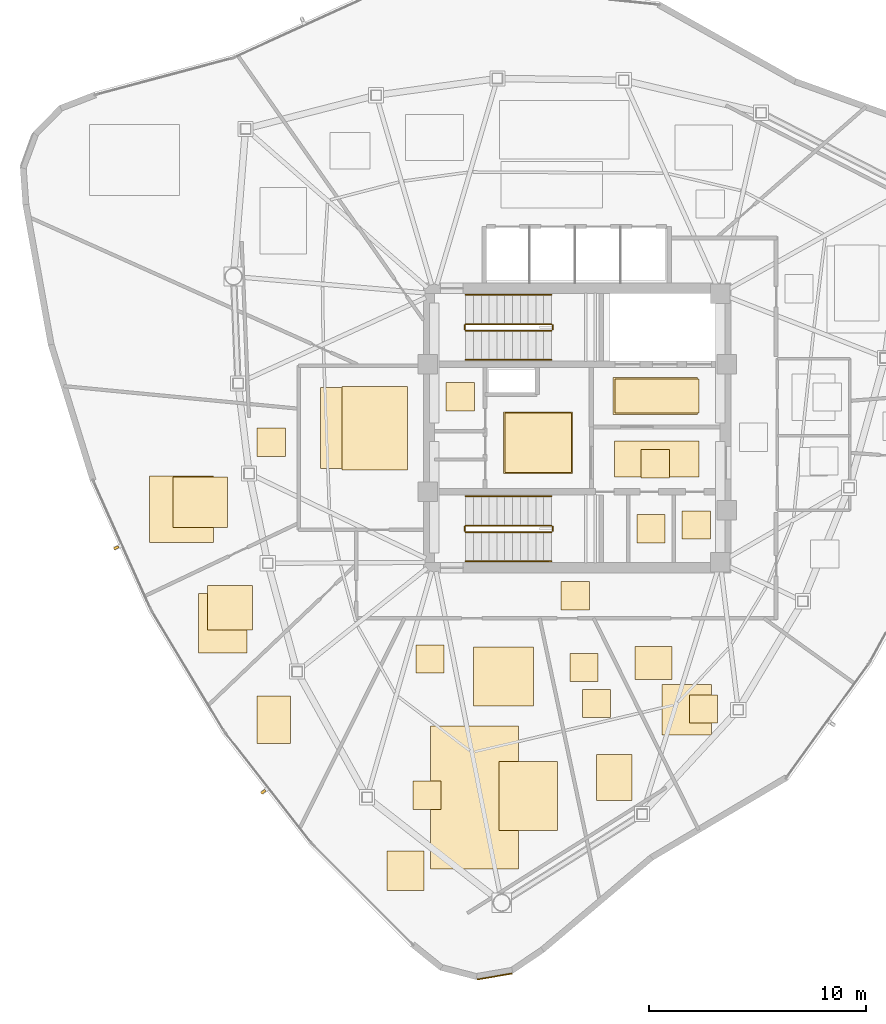
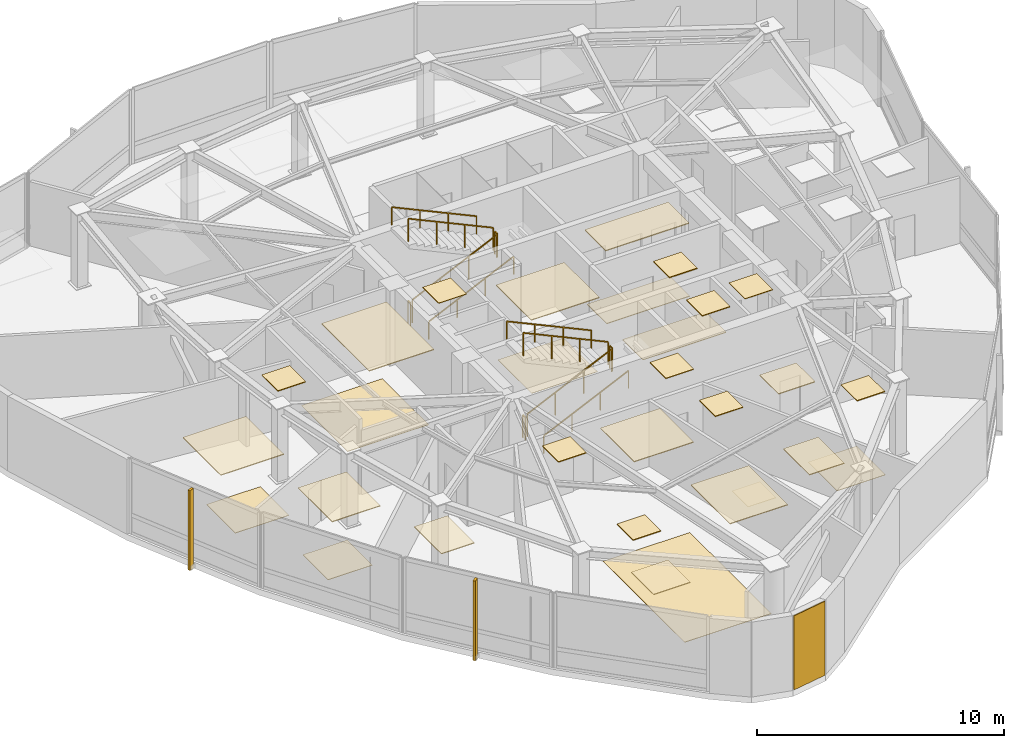
# One storey, part 11 of 12: 31 coverings, 12 railings, 2 shading devices.
"""IFC4 building model written with IfcOpenShell, lengths in metres."""

import ifcopenshell
import ifcopenshell.guid

model = None  # the IFC model being written
_history = None  # IfcOwnerHistory: only IFC2X3 demands one
_inside = {}  # id of a spatial element -> (the spatial element, [elements in it])
_under = {}  # id of a project, library or spatial element -> (it, [spatial elements below it])
_declared = {}  # id of a project -> (the project, [libraries it declares])
_typed = {}  # id of a type object -> (the type object, [elements of that type])
_made_of = {}  # id of a material, layer set ... -> (it, [elements and type objects made of it])


def new_model(schema):
    """Start an empty IFC model of exactly this schema.

    Asked for "IFC4X3", IfcOpenShell would pick the latest addendum, in which some entities
    have other attributes; the version numbers below select the first issue.
    IFC2X3 requires an IfcOwnerHistory on every rooted entity: one is made here for all.
    """
    global model, _history
    if schema == "IFC4X3":
        model = ifcopenshell.file(schema_version=(4, 3, 0, 0))
    else:
        model = ifcopenshell.file(schema=schema)
    _inside.clear()
    _under.clear()
    _declared.clear()
    _typed.clear()
    _made_of.clear()
    _history = None
    if model.schema == "IFC2X3":
        org = make("IfcOrganization", Name="unknown")
        user = make(
            "IfcPersonAndOrganization",
            ThePerson=make("IfcPerson", FamilyName="unknown"),
            TheOrganization=org,
        )
        app = make(
            "IfcApplication",
            ApplicationDeveloper=org,
            Version="unknown",
            ApplicationFullName="unknown",
            ApplicationIdentifier="unknown",
        )
        _history = make(
            "IfcOwnerHistory",
            OwningUser=user,
            OwningApplication=app,
            ChangeAction="ADDED",
            CreationDate=0,
        )
    return model


def make(cls, **values):
    """One entity of the class cls with the attributes given. An attribute that is None is left unset."""
    return model.create_entity(
        cls, **{name: value for name, value in values.items() if value is not None}
    )


def rooted(cls, **values):
    """An entity with a GlobalId (a new one), such as an element, a storey or a relation."""
    return make(cls, GlobalId=ifcopenshell.guid.new(), OwnerHistory=_history, **values)


def si_unit(unit_type, name, prefix=None):
    """IfcSIUnit, for example si_unit("LENGTHUNIT", "METRE", prefix="MILLI")."""
    return make("IfcSIUnit", UnitType=unit_type, Prefix=prefix, Name=name)


def assignment(units):
    """IfcUnitAssignment: the units of a project."""
    return None if units is None else make("IfcUnitAssignment", Units=units)


def point(xyz):
    """IfcCartesianPoint."""
    return None if xyz is None else make("IfcCartesianPoint", Coordinates=xyz)


def direction(xyz):
    """IfcDirection."""
    return None if xyz is None else make("IfcDirection", DirectionRatios=xyz)


def frame(location, z_axis=None, x_axis=None):
    """IfcAxis2Placement3D, a coordinate frame: its origin and axes. An axis left out is left unset."""
    return make(
        "IfcAxis2Placement3D",
        Location=point(location),
        Axis=direction(z_axis),
        RefDirection=direction(x_axis),
    )


def frame_2d(location, x_axis=None):
    """IfcAxis2Placement2D, a coordinate frame in the plane: its origin and x axis."""
    return make(
        "IfcAxis2Placement2D", Location=point(location), RefDirection=direction(x_axis)
    )


def origin():
    """The frame at (0, 0, 0) with its axes left unset."""
    return frame((0.0, 0.0, 0.0))


def origin_2d():
    """The frame at (0, 0) in the plane with its x axis left unset."""
    return frame_2d((0.0, 0.0))


def place(relative_to, where):
    """IfcLocalPlacement: puts the frame where relative to a parent placement (None: the world)."""
    return make(
        "IfcLocalPlacement", PlacementRelTo=relative_to, RelativePlacement=where
    )


def context(
    kind, dimensions, precision=None, world=None, true_north=None, identifier=None
):
    """IfcGeometricRepresentationContext, for example the 3D "Model" context."""
    return make(
        "IfcGeometricRepresentationContext",
        ContextIdentifier=identifier,
        ContextType=kind,
        CoordinateSpaceDimension=dimensions,
        Precision=precision,
        WorldCoordinateSystem=world,
        TrueNorth=true_north,
    )


def subcontext(parent, identifier, kind, view, scale=None):
    """IfcGeometricRepresentationSubContext, for example "Body" below "Model"."""
    return make(
        "IfcGeometricRepresentationSubContext",
        ContextIdentifier=identifier,
        ContextType=kind,
        ParentContext=parent,
        TargetScale=scale,
        TargetView=view,
    )


def project(units=None, contexts=None):
    """IfcProject with its units and contexts."""
    return rooted(
        "IfcProject",
        Name="project",
        RepresentationContexts=contexts,
        UnitsInContext=assignment(units),
    )


def spatial(cls, under=None, at=None, **own):
    """A site, building, storey or space (cls), placed at a placement, below another one or the project."""
    s = rooted(cls, ObjectPlacement=at, **own)
    if under is not None:
        _under.setdefault(under.id(), (under, []))[1].append(s)
    return s


def polyline(points):
    """IfcPolyline through the points."""
    return make("IfcPolyline", Points=[point(p) for p in points])


def profile(cls, at=None, kind="AREA", **sizes):
    """A parametric profile (cls). Its sizes go by their IFC names, for example OverallWidth=200.0."""
    return make(cls, ProfileType=kind, Position=at, **sizes)


def rectangle(**sizes):
    """IfcRectangleProfileDef."""
    return profile("IfcRectangleProfileDef", **sizes)


def outline(outer, holes=None, kind="AREA"):
    """IfcArbitraryClosedProfileDef: a profile drawn as a closed curve; with holes, ...WithVoids."""
    if holes is None:
        return make("IfcArbitraryClosedProfileDef", ProfileType=kind, OuterCurve=outer)
    return make(
        "IfcArbitraryProfileDefWithVoids",
        ProfileType=kind,
        OuterCurve=outer,
        InnerCurves=holes,
    )


def extrude(swept, where, along, depth):
    """IfcExtrudedAreaSolid: the profile swept, set in the frame where, extruded along a direction by depth."""
    return make(
        "IfcExtrudedAreaSolid",
        SweptArea=swept,
        Position=where,
        ExtrudedDirection=direction(along),
        Depth=depth,
    )


def shape(context_of_items, identifier, shape_type, items):
    """IfcShapeRepresentation: the items that make up one representation, for example the "Body"."""
    return make(
        "IfcShapeRepresentation",
        ContextOfItems=context_of_items,
        RepresentationIdentifier=identifier,
        RepresentationType=shape_type,
        Items=items,
    )


def source(mapping_origin, context_of_items, identifier, shape_type, items):
    """IfcRepresentationMap: a shape defined once, which mapped items show again and again."""
    return make(
        "IfcRepresentationMap",
        MappingOrigin=mapping_origin,
        MappedRepresentation=shape(context_of_items, identifier, shape_type, items),
    )


def transform(
    local_origin,
    x_axis=None,
    y_axis=None,
    z_axis=None,
    scale=None,
    scale2=None,
    scale3=None,
    uniform=True,
):
    """IfcCartesianTransformationOperator3D, or its non-uniform kind. x_axis, y_axis, z_axis: its Axis1, 2, 3."""
    if uniform:
        return make(
            "IfcCartesianTransformationOperator3D",
            Axis1=direction(x_axis),
            Axis2=direction(y_axis),
            LocalOrigin=point(local_origin),
            Scale=scale,
            Axis3=direction(z_axis),
        )
    return make(
        "IfcCartesianTransformationOperator3DnonUniform",
        Axis1=direction(x_axis),
        Axis2=direction(y_axis),
        LocalOrigin=point(local_origin),
        Scale=scale,
        Axis3=direction(z_axis),
        Scale2=scale2,
        Scale3=scale3,
    )


def mapped(mapping_source, mapping_target):
    """IfcMappedItem: shows the shape of a source again, moved by a transform."""
    return make(
        "IfcMappedItem", MappingSource=mapping_source, MappingTarget=mapping_target
    )


def material(Name=None, Category=None):
    """IfcMaterial."""
    return make("IfcMaterial", Name=Name, Category=Category)


def layer(
    of_material, thickness, ventilated=None, Name=None, Category=None, Priority=None
):
    """IfcMaterialLayer: one layer of a wall or slab, of a material (None: an air gap)."""
    return make(
        "IfcMaterialLayer",
        Material=of_material,
        LayerThickness=thickness,
        IsVentilated=ventilated,
        Name=Name,
        Category=Category,
        Priority=Priority,
    )


def layer_set(layers, Name=None):
    """IfcMaterialLayerSet."""
    return make("IfcMaterialLayerSet", MaterialLayers=layers, LayerSetName=Name)


def made_of(thing, what):
    """Note that an element or type object is made of a material, layer set ...; save() writes the relation."""
    if what is not None:
        _made_of.setdefault(what.id(), (what, []))[1].append(thing)
    return thing


def type_object(cls, material=None, **own):
    """A type object (cls), such as IfcWallType, which elements share."""
    return made_of(rooted(cls, **own), material)


def type_shapes(of_type, sources):
    """Give a type object the sources (RepresentationMaps) that its elements show as mapped items."""
    of_type.RepresentationMaps = sources


def element(
    cls,
    number,
    at=None,
    inside=None,
    cuts=None,
    type_object=None,
    material=None,
    context=None,
    identifier="Body",
    shape_type=None,
    held_by="IfcProductDefinitionShape",
    body=None,
    shapes=None,
    **own,
):
    """One element of the class cls, such as IfcWall. Its Tag is "e" and its number.

    at: its placement. inside: the storey or other place that contains it. cuts: it is an
    opening in that element (IfcRelVoidsElement). A single representation is given by context,
    identifier, shape_type and body (its items); several are given by shapes. held_by: the class
    of the entity that holds the representations. save() writes the other relations.
    """
    e = rooted(cls, Tag="e%d" % number, ObjectPlacement=at, **own)
    if body is not None:
        shapes = [shape(context, identifier, shape_type, body)]
    if shapes is not None:
        e.Representation = make(held_by, Representations=shapes)
    if inside is not None:
        _inside.setdefault(inside.id(), (inside, []))[1].append(e)
    if cuts is not None:
        rooted(
            "IfcRelVoidsElement", RelatingBuildingElement=cuts, RelatedOpeningElement=e
        )
    if type_object is not None:
        _typed.setdefault(type_object.id(), (type_object, []))[1].append(e)
    return made_of(e, material)


def aggregate(whole, parts):
    """IfcRelAggregates: a whole, such as a stair, and the parts it consists of."""
    return rooted("IfcRelAggregates", RelatingObject=whole, RelatedObjects=parts)


def save(model, path):
    """Write the relations noted so far, then the file.

    IfcRelAggregates (storeys below a building ...), IfcRelContainedInSpatialStructure (elements
    in a storey), IfcRelDefinesByType, IfcRelAssociatesMaterial and IfcRelDeclares: one each for
    every whole, place, type object, material and project.
    """
    for whole, parts in _under.values():
        aggregate(whole, parts)
    for where, things in _inside.values():
        rooted(
            "IfcRelContainedInSpatialStructure",
            RelatedElements=things,
            RelatingStructure=where,
        )
    for kind, things in _typed.values():
        rooted("IfcRelDefinesByType", RelatedObjects=things, RelatingType=kind)
    for what, things in _made_of.values():
        rooted("IfcRelAssociatesMaterial", RelatedObjects=things, RelatingMaterial=what)
    for by, libraries in _declared.values():
        rooted("IfcRelDeclares", RelatingContext=by, RelatedDefinitions=libraries)
    model.write(path)


model = new_model("IFC4")

# Units and contexts
model_context = context("Model", 3, precision=1e-05, world=origin(), true_north=direction((0.0, 1.0)))
body_context = subcontext(model_context, "Body", "Model", "MODEL_VIEW")
ifc_project = project(units=[si_unit("LENGTHUNIT", "METRE"), si_unit("AREAUNIT", "SQUARE_METRE"), si_unit("VOLUMEUNIT", "CUBIC_METRE"), si_unit("PLANEANGLEUNIT", "RADIAN"), si_unit("MASSUNIT", "GRAM", prefix="KILO")], contexts=[model_context])

# Site, building, storey
site_placement = place(None, origin())
site = spatial("IfcSite", under=ifc_project, at=site_placement, CompositionType="ELEMENT")
building_placement = place(site_placement, origin())
building = spatial("IfcBuilding", under=site, at=building_placement, Name="Tavelor Broadcast Tower", CompositionType="ELEMENT")
storey_placement = place(building_placement, frame((0.0, 0.0, 285.5)))
storey = spatial("IfcBuildingStorey", under=building, at=storey_placement, Name="L68", CompositionType="ELEMENT", Elevation=285.5)

# Coverings
ifc_material_1 = material(Name="Copper-Bronze Anodized Aluminium", Category="aluminium")
ifc_layer_1 = layer(ifc_material_1, 0.044921875)
ifc_layer_set_1 = layer_set([ifc_layer_1], Name="Copper-Bronze Anodized Aluminium")
covering_type_1 = type_object("IfcCoveringType", Name="Anodised Bronze Linear Slatted Concourse Ceiling 45 mm", PredefinedType="CEILING", material=ifc_layer_set_1)
covering_1_placement = place(storey_placement, frame((0.0, 0.0, 3.655029296875)))
element("IfcCovering", 1, at=covering_1_placement, inside=storey, type_object=covering_type_1, Name="L68 Suspended Acoustic Ceiling 2598", PredefinedType="CEILING", context=body_context, shape_type="SweptSolid", body=[
    extrude(outline(polyline([(51.659912109375, 45.6318359375), (55.55712890625, 45.6318359375), (55.55712890625, 47.328125), (51.659912109375, 47.328125), (51.659912109375, 45.6318359375)])), origin(), (0.0, 0.0, 1.0), 0.044921875),
])
covering_2_placement = place(storey_placement, frame((0.0, 0.0, 3.655029296875)))
element("IfcCovering", 2, at=covering_2_placement, inside=storey, type_object=covering_type_1, Name="L68 Suspended Acoustic Ceiling 2599", PredefinedType="CEILING", context=body_context, shape_type="SweptSolid", body=[
    extrude(outline(polyline([(52.95361328125, 42.705078125), (54.25341796875, 42.705078125), (54.25341796875, 44.0048828125), (52.95361328125, 44.0048828125), (52.95361328125, 42.705078125)])), origin(), (0.0, 0.0, 1.0), 0.044921875),
])
ifc_layer_2 = layer(ifc_material_1, 0.050048828125)
ifc_layer_set_2 = layer_set([ifc_layer_2], Name="Copper-Bronze Anodized Aluminium")
covering_type_2 = type_object("IfcCoveringType", Name="Champagne-Bronze Corner Pier Metal Cladding 50 mm", PredefinedType="CLADDING", material=ifc_layer_set_2)
covering_3_placement = place(storey_placement, frame((46.18505859375, 19.683837890625, 0.02001953125), z_axis=(0.0, 0.0, 1.0), x_axis=(0.985556059058, 0.169349503849, 0.0)))
element("IfcCovering", 3, at=covering_3_placement, inside=storey, type_object=covering_type_2, Name="L68 Champagne-Bronze Corner Cladding 13", PredefinedType="CLADDING", context=body_context, shape_type="SweptSolid", body=[
    extrude(rectangle(XDim=1.62939453125, YDim=0.050048828125, at=origin_2d()), origin(), (0.0, 0.0, 1.0), 3.659912109375),
])

# Railings
ifc_material_2 = material(Name="Steel S355", Category="steel")
railing_type_1 = type_object("IfcRailingType", Name="Continuous Brushed Stainless Handrail 900 mm", PredefinedType="HANDRAIL", material=ifc_material_2)
railing_1_placement = place(storey_placement, frame((44.85009765625, 48.14990234375, 0.166748046875)))
element("IfcRailing", 4, at=railing_1_placement, inside=storey, type_object=railing_type_1, Name="L68 ST1 stair handrail 1", PredefinedType="HANDRAIL", context=body_context, shape_type="SweptSolid", body=[
    extrude(rectangle(XDim=0.048095703125, YDim=0.048095703125, at=origin_2d()), frame((0.0, 0.0, 0.8759765625), z_axis=(0.907472437036, 0.0, 0.420111623286), x_axis=(0.0, 1.0, 0.0)), (0.0, 0.0, 1.0), 4.36376953125),
    extrude(rectangle(XDim=0.0419921875, YDim=0.0419921875, at=origin_2d()), origin(), (0.0, 0.0, 1.0), 0.851806640625),
    extrude(rectangle(XDim=0.0419921875, YDim=0.0419921875, at=origin_2d()), frame((1.320068359375, 0.0, 0.611083984375)), (0.0, 0.0, 1.0), 0.851806640625),
    extrude(rectangle(XDim=0.0419921875, YDim=0.0419921875, at=origin_2d()), frame((2.639892578125, 0.0, 1.22216796875)), (0.0, 0.0, 1.0), 0.851806640625),
    extrude(rectangle(XDim=0.0419921875, YDim=0.0419921875, at=origin_2d()), frame((3.9599609375, 0.0, 1.833251953125)), (0.0, 0.0, 1.0), 0.851806640625),
])
railing_2_placement = place(storey_placement, frame((48.81005859375, 51.14990234375, 2.166748046875)))
element("IfcRailing", 5, at=railing_2_placement, inside=storey, type_object=railing_type_1, Name="L68 ST1 stair handrail 2", PredefinedType="HANDRAIL", context=body_context, shape_type="SweptSolid", body=[
    extrude(rectangle(XDim=0.048095703125, YDim=0.048095703125, at=origin_2d()), frame((0.0, 0.0, 0.8759765625), z_axis=(-0.907472437036, 0.0, 0.420111623286), x_axis=(0.0, -1.0, 0.0)), (0.0, 0.0, 1.0), 4.36376953125),
    extrude(rectangle(XDim=0.0419921875, YDim=0.0419921875, at=origin_2d()), origin(), (0.0, 0.0, 1.0), 0.851806640625),
    extrude(rectangle(XDim=0.0419921875, YDim=0.0419921875, at=origin_2d()), frame((-1.320068359375, 0.0, 0.611083984375)), (0.0, 0.0, 1.0), 0.851806640625),
    extrude(rectangle(XDim=0.0419921875, YDim=0.0419921875, at=origin_2d()), frame((-2.639892578125, 0.0, 1.22216796875)), (0.0, 0.0, 1.0), 0.851806640625),
    extrude(rectangle(XDim=0.0419921875, YDim=0.0419921875, at=origin_2d()), frame((-3.9599609375, 0.0, 1.833251953125)), (0.0, 0.0, 1.0), 0.851806640625),
])
railing_3_placement = place(storey_placement, frame((44.85009765625, 38.85009765625, 0.166748046875)))
element("IfcRailing", 6, at=railing_3_placement, inside=storey, type_object=railing_type_1, Name="L68 ST2 stair handrail 1", PredefinedType="HANDRAIL", context=body_context, shape_type="SweptSolid", body=[
    extrude(rectangle(XDim=0.048095703125, YDim=0.048095703125, at=origin_2d()), frame((0.0, 0.0, 0.8759765625), z_axis=(0.907472437036, 0.0, 0.420111623286), x_axis=(0.0, 1.0, 0.0)), (0.0, 0.0, 1.0), 4.36376953125),
    extrude(rectangle(XDim=0.0419921875, YDim=0.0419921875, at=origin_2d()), origin(), (0.0, 0.0, 1.0), 0.851806640625),
    extrude(rectangle(XDim=0.0419921875, YDim=0.0419921875, at=origin_2d()), frame((1.320068359375, 0.0, 0.611083984375)), (0.0, 0.0, 1.0), 0.851806640625),
    extrude(rectangle(XDim=0.0419921875, YDim=0.0419921875, at=origin_2d()), frame((2.639892578125, 0.0, 1.22216796875)), (0.0, 0.0, 1.0), 0.851806640625),
    extrude(rectangle(XDim=0.0419921875, YDim=0.0419921875, at=origin_2d()), frame((3.9599609375, 0.0, 1.833251953125)), (0.0, 0.0, 1.0), 0.851806640625),
])
railing_4_placement = place(storey_placement, frame((48.81005859375, 41.85009765625, 2.166748046875)))
element("IfcRailing", 7, at=railing_4_placement, inside=storey, type_object=railing_type_1, Name="L68 ST2 stair handrail 2", PredefinedType="HANDRAIL", context=body_context, shape_type="SweptSolid", body=[
    extrude(rectangle(XDim=0.048095703125, YDim=0.048095703125, at=origin_2d()), frame((0.0, 0.0, 0.8759765625), z_axis=(-0.907472437036, 0.0, 0.420111623286), x_axis=(0.0, -1.0, 0.0)), (0.0, 0.0, 1.0), 4.36376953125),
    extrude(rectangle(XDim=0.0419921875, YDim=0.0419921875, at=origin_2d()), origin(), (0.0, 0.0, 1.0), 0.851806640625),
    extrude(rectangle(XDim=0.0419921875, YDim=0.0419921875, at=origin_2d()), frame((-1.320068359375, 0.0, 0.611083984375)), (0.0, 0.0, 1.0), 0.851806640625),
    extrude(rectangle(XDim=0.0419921875, YDim=0.0419921875, at=origin_2d()), frame((-2.639892578125, 0.0, 1.22216796875)), (0.0, 0.0, 1.0), 0.851806640625),
    extrude(rectangle(XDim=0.0419921875, YDim=0.0419921875, at=origin_2d()), frame((-3.9599609375, 0.0, 1.833251953125)), (0.0, 0.0, 1.0), 0.851806640625),
])

# Coverings
ifc_material_3 = material(Name="Architectural Anodized Aluminium", Category="aluminium")
ifc_layer_3 = layer(ifc_material_3, 0.034912109375)
ifc_layer_set_3 = layer_set([ifc_layer_3], Name="Architectural Anodized Aluminium")
covering_type_3 = type_object("IfcCoveringType", Name="Demountable Metal Tile Corridor Ceiling 35 mm", PredefinedType="CEILING", material=ifc_layer_set_3)
covering_4_placement = place(storey_placement, frame((0.0, 0.0, 3.6650390625)))
element("IfcCovering", 8, at=covering_4_placement, inside=storey, type_object=covering_type_3, Name="L68 Suspended Acoustic Ceiling 2605", PredefinedType="CEILING", context=body_context, shape_type="SweptSolid", body=[
    extrude(outline(polyline([(49.261474609375, 36.610107421875), (50.5615234375, 36.610107421875), (50.5615234375, 37.909912109375), (49.261474609375, 37.909912109375), (49.261474609375, 36.610107421875)])), origin(), (0.0, 0.0, 1.0), 0.034912109375),
])
ifc_material_4 = material(Name="Acoustic Nylon Carpet Tile")
ifc_layer_4 = layer(ifc_material_4, 0.02001953125)
ifc_layer_set_4 = layer_set([ifc_layer_4], Name="Acoustic Nylon Carpet Tile")
covering_type_4 = type_object("IfcCoveringType", Name="Heavy-Duty Acoustic Broadcast Carpet Tile 20 mm", PredefinedType="FLOORING", material=ifc_layer_set_4)
covering_5_placement = place(storey_placement, origin())
element("IfcCovering", 9, at=covering_5_placement, inside=storey, type_object=covering_type_4, Name="L68 Broadcast Floor Finish 1011", PredefinedType="FLOORING", context=body_context, shape_type="SweptSolid", body=[
    extrude(outline(polyline([(46.6591796875, 42.953369140625), (49.730712890625, 42.953369140625), (49.730712890625, 45.6865234375), (46.6591796875, 45.6865234375), (46.6591796875, 42.953369140625)])), origin(), (0.0, 0.0, 1.0), 0.02001953125),
])
covering_6_placement = place(storey_placement, origin())
element("IfcCovering", 10, at=covering_6_placement, inside=storey, type_object=covering_type_4, Name="L68 Broadcast Floor Finish 1013", PredefinedType="FLOORING", context=body_context, shape_type="SweptSolid", body=[
    extrude(outline(polyline([(38.15771484375, 43.12890625), (41.942138671875, 43.12890625), (41.942138671875, 46.87060546875), (38.15771484375, 46.87060546875), (38.15771484375, 43.12890625)])), origin(), (0.0, 0.0, 1.0), 0.02001953125),
])
covering_7_placement = place(storey_placement, origin())
element("IfcCovering", 11, at=covering_7_placement, inside=storey, type_object=covering_type_4, Name="L68 Broadcast Floor Finish 1017", PredefinedType="FLOORING", context=body_context, shape_type="SweptSolid", body=[
    extrude(outline(polyline([(53.919677734375, 30.82177734375), (56.1884765625, 30.82177734375), (56.1884765625, 33.162353515625), (53.919677734375, 33.162353515625), (53.919677734375, 30.82177734375)])), origin(), (0.0, 0.0, 1.0), 0.02001953125),
])
covering_8_placement = place(storey_placement, origin())
element("IfcCovering", 12, at=covering_8_placement, inside=storey, type_object=covering_type_4, Name="L68 Broadcast Floor Finish 1018", PredefinedType="FLOORING", context=body_context, shape_type="SweptSolid", body=[
    extrude(outline(polyline([(50.239013671875, 31.638916015625), (51.538818359375, 31.638916015625), (51.538818359375, 32.93896484375), (50.239013671875, 32.93896484375), (50.239013671875, 31.638916015625)])), origin(), (0.0, 0.0, 1.0), 0.02001953125),
])
covering_9_placement = place(storey_placement, origin())
element("IfcCovering", 13, at=covering_9_placement, inside=storey, type_object=covering_type_4, Name="L68 Broadcast Floor Finish 1019", PredefinedType="FLOORING", context=body_context, shape_type="SweptSolid", body=[
    extrude(outline(polyline([(43.2373046875, 24.65234375), (47.28857421875, 24.65234375), (47.28857421875, 31.2548828125), (43.2373046875, 31.2548828125), (43.2373046875, 24.65234375)])), origin(), (0.0, 0.0, 1.0), 0.02001953125),
])
covering_10_placement = place(storey_placement, origin())
element("IfcCovering", 14, at=covering_10_placement, inside=storey, type_object=covering_type_4, Name="L68 Broadcast Floor Finish 1020", PredefinedType="FLOORING", context=body_context, shape_type="SweptSolid", body=[
    extrude(outline(polyline([(32.94384765625, 35.68408203125), (35.017822265625, 35.68408203125), (35.017822265625, 37.724365234375), (32.94384765625, 37.724365234375), (32.94384765625, 35.68408203125)])), origin(), (0.0, 0.0, 1.0), 0.02001953125),
])
covering_11_placement = place(storey_placement, origin())
element("IfcCovering", 15, at=covering_11_placement, inside=storey, type_object=covering_type_4, Name="L68 Broadcast Floor Finish 1021", PredefinedType="FLOORING", context=body_context, shape_type="SweptSolid", body=[
    extrude(outline(polyline([(31.3408203125, 40.414306640625), (33.850341796875, 40.414306640625), (33.850341796875, 42.74560546875), (31.3408203125, 42.74560546875), (31.3408203125, 40.414306640625)])), origin(), (0.0, 0.0, 1.0), 0.02001953125),
])
ifc_material_5 = material(Name="Honed Natural Limestone Tile", Category="masonry")
ifc_layer_5 = layer(ifc_material_5, 0.030029296875)
ifc_layer_set_5 = layer_set([ifc_layer_5], Name="Honed Natural Limestone Tile")
covering_type_5 = type_object("IfcCoveringType", Name="Honed Jerusalem Limestone Concourse Flooring 30 mm", PredefinedType="FLOORING", material=ifc_layer_set_5)
covering_12_placement = place(storey_placement, origin())
element("IfcCovering", 16, at=covering_12_placement, inside=storey, type_object=covering_type_5, Name="L68 Broadcast Floor Finish 1009", PredefinedType="FLOORING", context=body_context, shape_type="SweptSolid", body=[
    extrude(outline(polyline([(51.7373046875, 45.689453125), (55.62255859375, 45.689453125), (55.62255859375, 47.2705078125), (51.7373046875, 47.2705078125), (51.7373046875, 45.689453125)])), origin(), (0.0, 0.0, 1.0), 0.030029296875),
])
covering_13_placement = place(storey_placement, origin())
element("IfcCovering", 17, at=covering_13_placement, inside=storey, type_object=covering_type_5, Name="L68 Broadcast Floor Finish 1010", PredefinedType="FLOORING", context=body_context, shape_type="SweptSolid", body=[
    extrude(outline(polyline([(51.728759765625, 42.743408203125), (55.62109375, 42.743408203125), (55.62109375, 44.396484375), (51.728759765625, 44.396484375), (51.728759765625, 42.743408203125)])), origin(), (0.0, 0.0, 1.0), 0.030029296875),
])
ifc_layer_6 = layer(ifc_material_3, 0.030029296875)
ifc_layer_set_6 = layer_set([ifc_layer_6], Name="Architectural Anodized Aluminium")
covering_type_6 = type_object("IfcCoveringType", Name="Moisture-Resistant Washroom Ceiling 30 mm", PredefinedType="CEILING", material=ifc_layer_set_6)
covering_14_placement = place(storey_placement, frame((0.0, 0.0, 3.669921875)))
element("IfcCovering", 18, at=covering_14_placement, inside=storey, type_object=covering_type_6, Name="L68 Suspended Acoustic Ceiling 2602", PredefinedType="CEILING", context=body_context, shape_type="SweptSolid", body=[
    extrude(outline(polyline([(54.843505859375, 39.866455078125), (56.1435546875, 39.866455078125), (56.1435546875, 41.16650390625), (54.843505859375, 41.16650390625), (54.843505859375, 39.866455078125)])), origin(), (0.0, 0.0, 1.0), 0.030029296875),
])
covering_15_placement = place(storey_placement, frame((0.0, 0.0, 3.669921875)))
element("IfcCovering", 19, at=covering_15_placement, inside=storey, type_object=covering_type_6, Name="L68 Suspended Acoustic Ceiling 2603", PredefinedType="CEILING", context=body_context, shape_type="SweptSolid", body=[
    extrude(outline(polyline([(43.951416015625, 45.794921875), (45.25146484375, 45.794921875), (45.25146484375, 47.094970703125), (43.951416015625, 47.094970703125), (43.951416015625, 45.794921875)])), origin(), (0.0, 0.0, 1.0), 0.030029296875),
])

# Railings
railing_type_2 = type_object("IfcRailingType", Name="Stairwell Steel Safety Guardrail 1150 mm", PredefinedType="GUARDRAIL", material=ifc_material_2)
railing_5_placement = place(storey_placement, frame((44.85009765625, 49.5, 0.166748046875)))
element("IfcRailing", 20, at=railing_5_placement, inside=storey, type_object=railing_type_2, Name="L68 ST1 stair guard 1", PredefinedType="GUARDRAIL", context=body_context, shape_type="SweptSolid", body=[
    extrude(rectangle(XDim=0.048095703125, YDim=0.048095703125, at=origin_2d()), frame((0.0, 0.0, 1.1259765625), z_axis=(0.907472437036, 0.0, 0.420111623286), x_axis=(0.0, 1.0, 0.0)), (0.0, 0.0, 1.0), 4.36376953125),
    extrude(rectangle(XDim=0.0419921875, YDim=0.0419921875, at=origin_2d()), origin(), (0.0, 0.0, 1.0), 1.101806640625),
    extrude(rectangle(XDim=0.0419921875, YDim=0.0419921875, at=origin_2d()), frame((1.320068359375, 0.0, 0.611083984375)), (0.0, 0.0, 1.0), 1.101806640625),
    extrude(rectangle(XDim=0.0419921875, YDim=0.0419921875, at=origin_2d()), frame((2.639892578125, 0.0, 1.22216796875)), (0.0, 0.0, 1.0), 1.101806640625),
    extrude(rectangle(XDim=0.0419921875, YDim=0.0419921875, at=origin_2d()), frame((3.9599609375, 0.0, 1.833251953125)), (0.0, 0.0, 1.0), 1.101806640625),
])
railing_6_placement = place(storey_placement, frame((48.860107421875, 49.550048828125, 2.0)))
element("IfcRailing", 21, at=railing_6_placement, inside=storey, type_object=railing_type_2, Name="L68 ST1 stair guard 2", PredefinedType="GUARDRAIL", context=body_context, shape_type="SweptSolid", body=[
    extrude(rectangle(XDim=0.048095703125, YDim=0.048095703125, at=origin_2d()), frame((0.0, 0.0, 1.1259765625), z_axis=(0.0, 1.0, 0.0), x_axis=(-1.0, 0.0, 0.0)), (0.0, 0.0, 1.0), 0.199951171875),
    extrude(rectangle(XDim=0.0419921875, YDim=0.0419921875, at=origin_2d()), origin(), (0.0, 0.0, 1.0), 1.101806640625),
    extrude(rectangle(XDim=0.0419921875, YDim=0.0419921875, at=origin_2d()), frame((0.0, 0.199951171875, 0.0)), (0.0, 0.0, 1.0), 1.101806640625),
])
railing_7_placement = place(storey_placement, frame((48.81005859375, 49.800048828125, 2.166748046875)))
element("IfcRailing", 22, at=railing_7_placement, inside=storey, type_object=railing_type_2, Name="L68 ST1 stair guard 3", PredefinedType="GUARDRAIL", context=body_context, shape_type="SweptSolid", body=[
    extrude(rectangle(XDim=0.048095703125, YDim=0.048095703125, at=origin_2d()), frame((0.0, 0.0, 1.1259765625), z_axis=(-0.907472437036, 0.0, 0.420111623286), x_axis=(0.0, -1.0, 0.0)), (0.0, 0.0, 1.0), 4.36376953125),
    extrude(rectangle(XDim=0.0419921875, YDim=0.0419921875, at=origin_2d()), origin(), (0.0, 0.0, 1.0), 1.101806640625),
    extrude(rectangle(XDim=0.0419921875, YDim=0.0419921875, at=origin_2d()), frame((-1.320068359375, 0.0, 0.611083984375)), (0.0, 0.0, 1.0), 1.101806640625),
    extrude(rectangle(XDim=0.0419921875, YDim=0.0419921875, at=origin_2d()), frame((-2.639892578125, 0.0, 1.22216796875)), (0.0, 0.0, 1.0), 1.101806640625),
    extrude(rectangle(XDim=0.0419921875, YDim=0.0419921875, at=origin_2d()), frame((-3.9599609375, 0.0, 1.833251953125)), (0.0, 0.0, 1.0), 1.101806640625),
])
railing_8_placement = place(storey_placement, frame((44.800048828125, 49.550048828125, 0.0)))
element("IfcRailing", 23, at=railing_8_placement, inside=storey, type_object=railing_type_2, Name="L68 ST1 stair guard 4", PredefinedType="GUARDRAIL", context=body_context, shape_type="SweptSolid", body=[
    extrude(rectangle(XDim=0.048095703125, YDim=0.048095703125, at=origin_2d()), frame((0.0, 0.0, 1.1259765625), z_axis=(0.0, 1.0, 0.0), x_axis=(-1.0, 0.0, 0.0)), (0.0, 0.0, 1.0), 0.199951171875),
    extrude(rectangle(XDim=0.0419921875, YDim=0.0419921875, at=origin_2d()), origin(), (0.0, 0.0, 1.0), 1.101806640625),
    extrude(rectangle(XDim=0.0419921875, YDim=0.0419921875, at=origin_2d()), frame((0.0, 0.199951171875, 0.0)), (0.0, 0.0, 1.0), 1.101806640625),
])
railing_9_placement = place(storey_placement, frame((44.85009765625, 40.199951171875, 0.166748046875)))
element("IfcRailing", 24, at=railing_9_placement, inside=storey, type_object=railing_type_2, Name="L68 ST2 stair guard 1", PredefinedType="GUARDRAIL", context=body_context, shape_type="SweptSolid", body=[
    extrude(rectangle(XDim=0.048095703125, YDim=0.048095703125, at=origin_2d()), frame((0.0, 0.0, 1.1259765625), z_axis=(0.907472437036, 0.0, 0.420111623286), x_axis=(0.0, 1.0, 0.0)), (0.0, 0.0, 1.0), 4.36376953125),
    extrude(rectangle(XDim=0.0419921875, YDim=0.0419921875, at=origin_2d()), origin(), (0.0, 0.0, 1.0), 1.101806640625),
    extrude(rectangle(XDim=0.0419921875, YDim=0.0419921875, at=origin_2d()), frame((1.320068359375, 0.0, 0.611083984375)), (0.0, 0.0, 1.0), 1.101806640625),
    extrude(rectangle(XDim=0.0419921875, YDim=0.0419921875, at=origin_2d()), frame((2.639892578125, 0.0, 1.22216796875)), (0.0, 0.0, 1.0), 1.101806640625),
    extrude(rectangle(XDim=0.0419921875, YDim=0.0419921875, at=origin_2d()), frame((3.9599609375, 0.0, 1.833251953125)), (0.0, 0.0, 1.0), 1.101806640625),
])
railing_10_placement = place(storey_placement, frame((48.860107421875, 40.25, 2.0)))
element("IfcRailing", 25, at=railing_10_placement, inside=storey, type_object=railing_type_2, Name="L68 ST2 stair guard 2", PredefinedType="GUARDRAIL", context=body_context, shape_type="SweptSolid", body=[
    extrude(rectangle(XDim=0.048095703125, YDim=0.048095703125, at=origin_2d()), frame((0.0, 0.0, 1.1259765625), z_axis=(0.0, 1.0, 0.0), x_axis=(-1.0, 0.0, 0.0)), (0.0, 0.0, 1.0), 0.199951171875),
    extrude(rectangle(XDim=0.0419921875, YDim=0.0419921875, at=origin_2d()), origin(), (0.0, 0.0, 1.0), 1.101806640625),
    extrude(rectangle(XDim=0.0419921875, YDim=0.0419921875, at=origin_2d()), frame((0.0, 0.199951171875, 0.0)), (0.0, 0.0, 1.0), 1.101806640625),
])
railing_11_placement = place(storey_placement, frame((48.81005859375, 40.5, 2.166748046875)))
element("IfcRailing", 26, at=railing_11_placement, inside=storey, type_object=railing_type_2, Name="L68 ST2 stair guard 3", PredefinedType="GUARDRAIL", context=body_context, shape_type="SweptSolid", body=[
    extrude(rectangle(XDim=0.048095703125, YDim=0.048095703125, at=origin_2d()), frame((0.0, 0.0, 1.1259765625), z_axis=(-0.907472437036, 0.0, 0.420111623286), x_axis=(0.0, -1.0, 0.0)), (0.0, 0.0, 1.0), 4.36376953125),
    extrude(rectangle(XDim=0.0419921875, YDim=0.0419921875, at=origin_2d()), origin(), (0.0, 0.0, 1.0), 1.101806640625),
    extrude(rectangle(XDim=0.0419921875, YDim=0.0419921875, at=origin_2d()), frame((-1.320068359375, 0.0, 0.611083984375)), (0.0, 0.0, 1.0), 1.101806640625),
    extrude(rectangle(XDim=0.0419921875, YDim=0.0419921875, at=origin_2d()), frame((-2.639892578125, 0.0, 1.22216796875)), (0.0, 0.0, 1.0), 1.101806640625),
    extrude(rectangle(XDim=0.0419921875, YDim=0.0419921875, at=origin_2d()), frame((-3.9599609375, 0.0, 1.833251953125)), (0.0, 0.0, 1.0), 1.101806640625),
])
railing_12_placement = place(storey_placement, frame((44.800048828125, 40.25, 0.0)))
element("IfcRailing", 27, at=railing_12_placement, inside=storey, type_object=railing_type_2, Name="L68 ST2 stair guard 4", PredefinedType="GUARDRAIL", context=body_context, shape_type="SweptSolid", body=[
    extrude(rectangle(XDim=0.048095703125, YDim=0.048095703125, at=origin_2d()), frame((0.0, 0.0, 1.1259765625), z_axis=(0.0, 1.0, 0.0), x_axis=(-1.0, 0.0, 0.0)), (0.0, 0.0, 1.0), 0.199951171875),
    extrude(rectangle(XDim=0.0419921875, YDim=0.0419921875, at=origin_2d()), origin(), (0.0, 0.0, 1.0), 1.101806640625),
    extrude(rectangle(XDim=0.0419921875, YDim=0.0419921875, at=origin_2d()), frame((0.0, 0.199951171875, 0.0)), (0.0, 0.0, 1.0), 1.101806640625),
])

# Coverings
ifc_material_6 = material(Name="Acoustic Mineral Fibre Tile")
ifc_layer_7 = layer(ifc_material_6, 0.0400390625)
ifc_layer_set_7 = layer_set([ifc_layer_7], Name="Acoustic Mineral Fibre Tile")
covering_type_7 = type_object("IfcCoveringType", Name="Suspended Acoustic Mineral-Fibre Office Ceiling 40 mm", PredefinedType="CEILING", material=ifc_layer_set_7)
covering_16_placement = place(storey_placement, frame((0.0, 0.0, 3.659912109375)))
element("IfcCovering", 28, at=covering_16_placement, inside=storey, type_object=covering_type_7, Name="L68 Suspended Acoustic Ceiling 2600", PredefinedType="CEILING", context=body_context, shape_type="SweptSolid", body=[
    extrude(outline(polyline([(46.6015625, 42.895751953125), (49.788330078125, 42.895751953125), (49.788330078125, 45.744140625), (46.6015625, 45.744140625), (46.6015625, 42.895751953125)])), origin(), (0.0, 0.0, 1.0), 0.0400390625),
])
covering_17_placement = place(storey_placement, frame((0.0, 0.0, 3.659912109375)))
element("IfcCovering", 29, at=covering_17_placement, inside=storey, type_object=covering_type_7, Name="L68 Suspended Acoustic Ceiling 2601", PredefinedType="CEILING", context=body_context, shape_type="SweptSolid", body=[
    extrude(outline(polyline([(52.75, 39.699951171875), (54.050048828125, 39.699951171875), (54.050048828125, 41.0), (52.75, 41.0), (52.75, 39.699951171875)])), origin(), (0.0, 0.0, 1.0), 0.0400390625),
])
covering_18_placement = place(storey_placement, frame((0.0, 0.0, 3.659912109375)))
element("IfcCovering", 30, at=covering_18_placement, inside=storey, type_object=covering_type_7, Name="L68 Suspended Acoustic Ceiling 2606", PredefinedType="CEILING", context=body_context, shape_type="SweptSolid", body=[
    extrude(outline(polyline([(39.130615234375, 43.0712890625), (42.16748046875, 43.0712890625), (42.16748046875, 46.927978515625), (39.130615234375, 46.927978515625), (39.130615234375, 43.0712890625)])), origin(), (0.0, 0.0, 1.0), 0.0400390625),
])
covering_19_placement = place(storey_placement, frame((0.0, 0.0, 3.659912109375)))
element("IfcCovering", 31, at=covering_19_placement, inside=storey, type_object=covering_type_7, Name="L68 Suspended Acoustic Ceiling 2609", PredefinedType="CEILING", context=body_context, shape_type="SweptSolid", body=[
    extrude(outline(polyline([(55.1728515625, 31.37841796875), (56.472900390625, 31.37841796875), (56.472900390625, 32.678466796875), (55.1728515625, 32.678466796875), (55.1728515625, 31.37841796875)])), origin(), (0.0, 0.0, 1.0), 0.0400390625),
])
covering_20_placement = place(storey_placement, frame((0.0, 0.0, 3.659912109375)))
element("IfcCovering", 32, at=covering_20_placement, inside=storey, type_object=covering_type_7, Name="L68 Suspended Acoustic Ceiling 2610", PredefinedType="CEILING", context=body_context, shape_type="SweptSolid", body=[
    extrude(outline(polyline([(52.663818359375, 33.38427734375), (54.3740234375, 33.38427734375), (54.3740234375, 34.91552734375), (52.663818359375, 34.91552734375), (52.663818359375, 33.38427734375)])), origin(), (0.0, 0.0, 1.0), 0.0400390625),
])
covering_21_placement = place(storey_placement, frame((0.0, 0.0, 3.659912109375)))
element("IfcCovering", 33, at=covering_21_placement, inside=storey, type_object=covering_type_7, Name="L68 Suspended Acoustic Ceiling 2611", PredefinedType="CEILING", context=body_context, shape_type="SweptSolid", body=[
    extrude(outline(polyline([(50.8935546875, 27.816650390625), (52.526611328125, 27.816650390625), (52.526611328125, 29.931884765625), (50.8935546875, 29.931884765625), (50.8935546875, 27.816650390625)])), origin(), (0.0, 0.0, 1.0), 0.0400390625),
])
covering_22_placement = place(storey_placement, frame((0.0, 0.0, 3.659912109375)))
element("IfcCovering", 34, at=covering_22_placement, inside=storey, type_object=covering_type_7, Name="L68 Suspended Acoustic Ceiling 2612", PredefinedType="CEILING", context=body_context, shape_type="SweptSolid", body=[
    extrude(outline(polyline([(49.657470703125, 33.29052734375), (50.95751953125, 33.29052734375), (50.95751953125, 34.590576171875), (49.657470703125, 34.590576171875), (49.657470703125, 33.29052734375)])), origin(), (0.0, 0.0, 1.0), 0.0400390625),
])
covering_23_placement = place(storey_placement, frame((0.0, 0.0, 3.659912109375)))
element("IfcCovering", 35, at=covering_23_placement, inside=storey, type_object=covering_type_7, Name="L68 Suspended Acoustic Ceiling 2613", PredefinedType="CEILING", context=body_context, shape_type="SweptSolid", body=[
    extrude(outline(polyline([(41.211181640625, 23.655517578125), (42.92919921875, 23.655517578125), (42.92919921875, 25.477294921875), (41.211181640625, 25.477294921875), (41.211181640625, 23.655517578125)])), origin(), (0.0, 0.0, 1.0), 0.0400390625),
])
covering_24_placement = place(storey_placement, frame((0.0, 0.0, 3.659912109375)))
element("IfcCovering", 36, at=covering_24_placement, inside=storey, type_object=covering_type_7, Name="L68 Suspended Acoustic Ceiling 2614", PredefinedType="CEILING", context=body_context, shape_type="SweptSolid", body=[
    extrude(outline(polyline([(42.555419921875, 33.6826171875), (43.855224609375, 33.6826171875), (43.855224609375, 34.982666015625), (42.555419921875, 34.982666015625), (42.555419921875, 33.6826171875)])), origin(), (0.0, 0.0, 1.0), 0.0400390625),
])
covering_25_placement = place(storey_placement, frame((0.0, 0.0, 3.659912109375)))
element("IfcCovering", 37, at=covering_25_placement, inside=storey, type_object=covering_type_7, Name="L68 Suspended Acoustic Ceiling 2615", PredefinedType="CEILING", context=body_context, shape_type="SweptSolid", body=[
    extrude(outline(polyline([(45.2138671875, 32.159423828125), (47.989013671875, 32.159423828125), (47.989013671875, 34.8974609375), (45.2138671875, 34.8974609375), (45.2138671875, 32.159423828125)])), origin(), (0.0, 0.0, 1.0), 0.0400390625),
])
covering_26_placement = place(storey_placement, frame((0.0, 0.0, 3.659912109375)))
element("IfcCovering", 38, at=covering_26_placement, inside=storey, type_object=covering_type_7, Name="L68 Suspended Acoustic Ceiling 2616", PredefinedType="CEILING", context=body_context, shape_type="SweptSolid", body=[
    extrude(outline(polyline([(46.380615234375, 26.43115234375), (49.08544921875, 26.43115234375), (49.08544921875, 29.60302734375), (46.380615234375, 29.60302734375), (46.380615234375, 26.43115234375)])), origin(), (0.0, 0.0, 1.0), 0.0400390625),
])
covering_27_placement = place(storey_placement, frame((0.0, 0.0, 3.659912109375)))
element("IfcCovering", 39, at=covering_27_placement, inside=storey, type_object=covering_type_7, Name="L68 Suspended Acoustic Ceiling 2617", PredefinedType="CEILING", context=body_context, shape_type="SweptSolid", body=[
    extrude(outline(polyline([(42.408203125, 27.39892578125), (43.708251953125, 27.39892578125), (43.708251953125, 28.698974609375), (42.408203125, 28.698974609375), (42.408203125, 27.39892578125)])), origin(), (0.0, 0.0, 1.0), 0.0400390625),
])
covering_28_placement = place(storey_placement, frame((0.0, 0.0, 3.659912109375)))
element("IfcCovering", 40, at=covering_28_placement, inside=storey, type_object=covering_type_7, Name="L68 Suspended Acoustic Ceiling 2618", PredefinedType="CEILING", context=body_context, shape_type="SweptSolid", body=[
    extrude(outline(polyline([(35.2119140625, 30.44091796875), (36.75390625, 30.44091796875), (36.75390625, 32.638427734375), (35.2119140625, 32.638427734375), (35.2119140625, 30.44091796875)])), origin(), (0.0, 0.0, 1.0), 0.0400390625),
])
covering_29_placement = place(storey_placement, frame((0.0, 0.0, 3.659912109375)))
element("IfcCovering", 41, at=covering_29_placement, inside=storey, type_object=covering_type_7, Name="L68 Suspended Acoustic Ceiling 2619", PredefinedType="CEILING", context=body_context, shape_type="SweptSolid", body=[
    extrude(outline(polyline([(32.5146484375, 34.606201171875), (34.765380859375, 34.606201171875), (34.765380859375, 37.361572265625), (32.5146484375, 37.361572265625), (32.5146484375, 34.606201171875)])), origin(), (0.0, 0.0, 1.0), 0.0400390625),
])
covering_30_placement = place(storey_placement, frame((0.0, 0.0, 3.659912109375)))
element("IfcCovering", 42, at=covering_30_placement, inside=storey, type_object=covering_type_7, Name="L68 Suspended Acoustic Ceiling 2620", PredefinedType="CEILING", context=body_context, shape_type="SweptSolid", body=[
    extrude(outline(polyline([(30.254150390625, 39.707275390625), (33.20849609375, 39.707275390625), (33.20849609375, 42.7763671875), (30.254150390625, 42.7763671875), (30.254150390625, 39.707275390625)])), origin(), (0.0, 0.0, 1.0), 0.0400390625),
])
covering_31_placement = place(storey_placement, frame((0.0, 0.0, 3.659912109375)))
element("IfcCovering", 43, at=covering_31_placement, inside=storey, type_object=covering_type_7, Name="L68 Suspended Acoustic Ceiling 2621", PredefinedType="CEILING", context=body_context, shape_type="SweptSolid", body=[
    extrude(outline(polyline([(35.222900390625, 43.694580078125), (36.52294921875, 43.694580078125), (36.52294921875, 44.99462890625), (35.222900390625, 44.99462890625), (35.222900390625, 43.694580078125)])), origin(), (0.0, 0.0, 1.0), 0.0400390625),
])

# Shading devices
ifc_material_7 = material(Name="Kiln-Fired Glazed Terracotta", Category="masonry")
shading_device_type = type_object("IfcShadingDeviceType", Name="Extruded Terracotta Baguette Sun-Screen 110x240", PredefinedType="JALOUSIE", material=ifc_material_7)
shared_shape = source(origin(), body_context, "Body", "SweptSolid", [
    extrude(rectangle(XDim=0.110107421875, YDim=0.239990234375, at=origin_2d()), origin(), (0.0, 0.0, 1.0), 3.93994140625),
])
type_shapes(shading_device_type, [shared_shape])
for number, where, z_axis, x_axis, name in (
    (44, (28.716796875, 39.47314453125, -0.260009765625), (0.0, 0.0, 1.0), (0.408649074736, -0.912691587404, 0.0), "L68 Terracotta Baguette Fin 679"),
    (45, (35.506591796875, 28.20654296875, -0.260009765625), (0.0, 0.0, 1.0), (0.616073992379, -0.787688286008, 0.0), "L68 Terracotta Baguette Fin 680"),
):
    element("IfcShadingDevice", number, at=place(storey_placement, frame(where, z_axis=z_axis, x_axis=x_axis)), inside=storey, type_object=shading_device_type, Name=name, PredefinedType="JALOUSIE", context=body_context, shape_type="MappedRepresentation", body=[
        mapped(shared_shape, transform((0.0, 0.0, 0.0), scale=1.0)),
    ])

save(model, "model.ifc")
